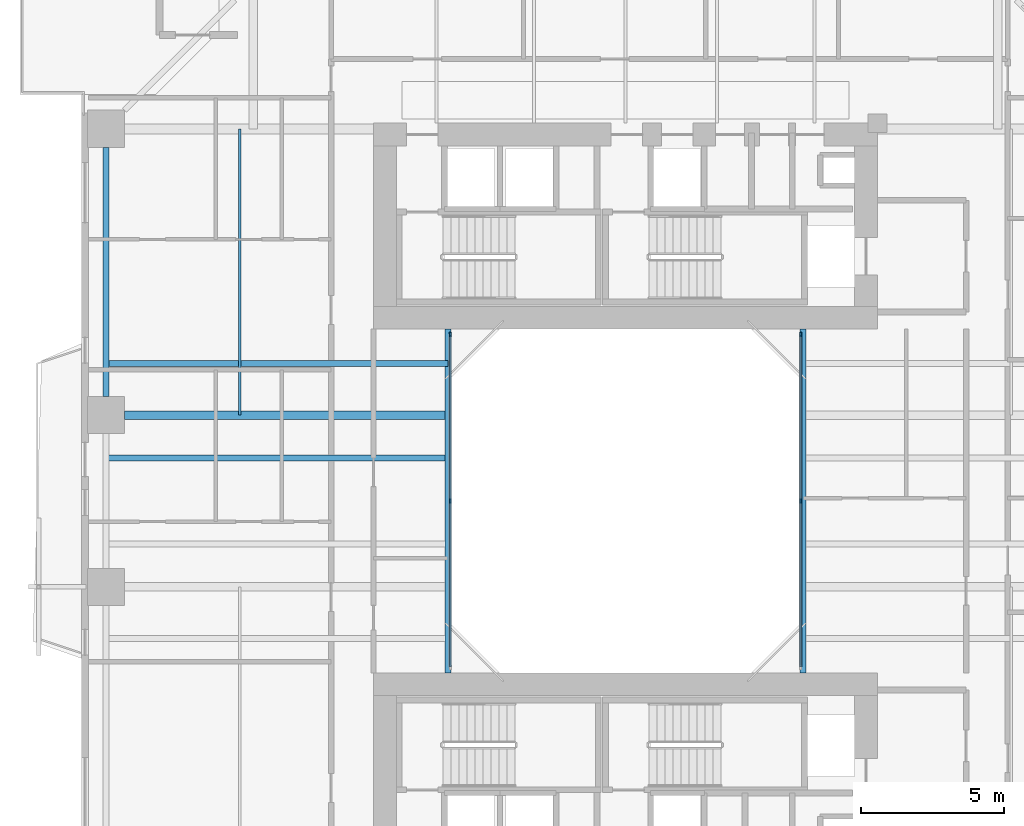
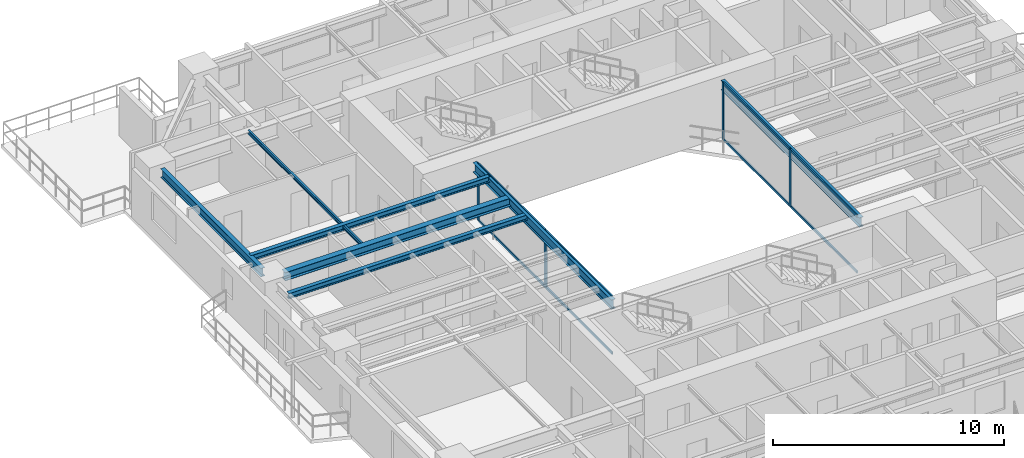
# One storey, part 4 of 24: 12 members, 7 beams, 2 elements without a shape of their own.
"""IFC4 building model written with IfcOpenShell, lengths in metres."""

from ifc_helpers import new_model, si_unit, direction, frame, origin, origin_2d, place, context, subcontext, project, spatial, rectangle, i_section, extrude, source, transform, mapped, material, layer, layer_set, material_profile, profile_set, type_object, element, aggregate, save


model = new_model("IFC4")

# Units and contexts
model_context = context("Model", 3, precision=1e-05, world=origin(), true_north=direction((0.0, 1.0)))
body_context = subcontext(model_context, "Body", "Model", "MODEL_VIEW")
ifc_project = project(units=[si_unit("LENGTHUNIT", "METRE"), si_unit("AREAUNIT", "SQUARE_METRE"), si_unit("VOLUMEUNIT", "CUBIC_METRE"), si_unit("PLANEANGLEUNIT", "RADIAN"), si_unit("MASSUNIT", "GRAM", prefix="KILO"), si_unit("THERMODYNAMICTEMPERATUREUNIT", "KELVIN"), si_unit("POWERUNIT", "WATT")], contexts=[model_context])

# Site, building, storey
site_placement = place(None, origin())
site = spatial("IfcSite", under=ifc_project, at=site_placement, CompositionType="ELEMENT")
building_placement = place(site_placement, origin())
building = spatial("IfcBuilding", under=site, at=building_placement, Name="Qiaomeng Ring Towers", CompositionType="ELEMENT")
storey_placement = place(building_placement, frame((0.0, 0.0, 42.5)))
storey = spatial("IfcBuildingStorey", under=building, at=storey_placement, Name="L11", CompositionType="ELEMENT", Elevation=42.5)

# Beams
ifc_material_1 = material(Name="Steel Q355B", Category="steel")
ifc_material_profile_1 = material_profile(ifc_material_1, i_section(OverallWidth=0.199951171875, OverallDepth=0.5, WebThickness=0.010009765625, FlangeThickness=0.01611328125, FilletRadius=0.02001953125, at=origin_2d()), Name="HN 500x200x10x16")
ifc_profile_set_1 = profile_set([ifc_material_profile_1], Name="Steel Q355B")
beam_type_1 = type_object("IfcBeamType", Name="STR-BM-HN500", PredefinedType="BEAM", material=ifc_profile_set_1)
shared_shape_1 = source(origin(), body_context, "Body", "SweptSolid", [
    extrude(i_section(OverallWidth=0.199951171875, OverallDepth=0.5, WebThickness=0.010009765625, FlangeThickness=0.01611328125, FilletRadius=0.02001953125, at=origin_2d()), origin(), (0.0, 0.0, 1.0), 12.0),
])
for number, where, z_axis, x_axis, name in (
    (1, (12.800048828125, 17.0, 2.780029296875), (0.0, 1.0, 0.0), (-1.0, 0.0, 0.0), "L11 beam STR-BM-L11-WELL-W"),
    (2, (25.199951171875, 17.0, 2.780029296875), (0.0, 1.0, 0.0), (-1.0, 0.0, 0.0), "L11 beam STR-BM-L11-WELL-E"),
):
    element("IfcBeam", number, at=place(storey_placement, frame(where, z_axis=z_axis, x_axis=x_axis)), inside=storey, type_object=beam_type_1, Name=name, PredefinedType="BEAM", context=body_context, shape_type="MappedRepresentation", body=[
        mapped(shared_shape_1, transform((0.0, 0.0, 0.0), x_axis=(1.0, 0.0, 0.0), y_axis=(0.0, 1.0, 0.0), z_axis=(0.0, 0.0, 1.0), scale=1.0)),
    ])
ifc_material_profile_2 = material_profile(ifc_material_1, i_section(OverallWidth=0.199951171875, OverallDepth=0.449951171875, WebThickness=0.009033203125, FlangeThickness=0.013916015625, FilletRadius=0.01806640625, at=origin_2d()), Name="HN 450x200x9x14")
ifc_profile_set_2 = profile_set([ifc_material_profile_2], Name="Steel Q355B")
beam_type_2 = type_object("IfcBeamType", Name="STR-BM-HN450", PredefinedType="SPANDREL", material=ifc_profile_set_2)
shared_shape_2 = source(origin(), body_context, "Body", "SweptSolid", [
    extrude(i_section(OverallWidth=0.199951171875, OverallDepth=0.449951171875, WebThickness=0.009033203125, FlangeThickness=0.013916015625, FilletRadius=0.01806640625, at=origin_2d()), origin(), (0.0, 0.0, 1.0), 8.7021484375),
])
beam_1_placement = place(storey_placement, frame((0.85009765625, 35.35107421875, 2.804931640625), z_axis=(0.0, -1.0, 0.0), x_axis=(1.0, 0.0, 0.0)))
element("IfcBeam", 3, at=beam_1_placement, inside=storey, type_object=beam_type_2, Name="L11 beam STR-SP-L11-T1-W4-W3", PredefinedType="SPANDREL", context=body_context, shape_type="MappedRepresentation", body=[
    mapped(shared_shape_2, transform((0.0, 0.0, 0.0), x_axis=(1.0, 0.0, 0.0), y_axis=(0.0, 1.0, 0.0), z_axis=(0.0, 0.0, 1.0), scale=1.0)),
])
ifc_material_profile_3 = material_profile(ifc_material_1, i_section(OverallWidth=0.300048828125, OverallDepth=0.43994140625, WebThickness=0.010986328125, FlangeThickness=0.01806640625, FilletRadius=0.02392578125, at=origin_2d()), Name="HM 440x300x11x18")
ifc_profile_set_3 = profile_set([ifc_material_profile_3], Name="Steel Q355B")
beam_type_3 = type_object("IfcBeamType", Name="STR-BM-HM440", PredefinedType="BEAM", material=ifc_profile_set_3)
shared_shape_3 = source(origin(), body_context, "Body", "SweptSolid", [
    extrude(i_section(OverallWidth=0.300048828125, OverallDepth=0.43994140625, WebThickness=0.010986328125, FlangeThickness=0.01806640625, FilletRadius=0.02392578125, at=origin_2d()), origin(), (0.0, 0.0, 1.0), 11.301025390625),
])
beam_2_placement = place(storey_placement, frame((1.4990234375, 26.0, 2.81005859375), z_axis=(1.0, 0.0, 0.0), x_axis=(0.0, 1.0, 0.0)))
element("IfcBeam", 4, at=beam_2_placement, inside=storey, type_object=beam_type_3, Name="L11 beam STR-BM-L11-T1-RAD-W3", PredefinedType="BEAM", context=body_context, shape_type="MappedRepresentation", body=[
    mapped(shared_shape_3, transform((0.0, 0.0, 0.0), x_axis=(1.0, 0.0, 0.0), y_axis=(0.0, 1.0, 0.0), z_axis=(0.0, 0.0, 1.0), scale=1.0)),
])
ifc_material_profile_4 = material_profile(ifc_material_1, i_section(OverallWidth=0.199951171875, OverallDepth=0.2939453125, WebThickness=0.008056640625, FlangeThickness=0.011962890625, FilletRadius=0.01806640625, at=origin_2d()), Name="HM 294x200x8x12")
ifc_profile_set_4 = profile_set([ifc_material_profile_4], Name="Steel Q355B")
beam_type_4 = type_object("IfcBeamType", Name="STR-BM-HM294", PredefinedType="JOIST", material=ifc_profile_set_4)
shared_shape_4 = source(origin(), body_context, "Body", "SweptSolid", [
    extrude(i_section(OverallWidth=0.199951171875, OverallDepth=0.2939453125, WebThickness=0.008056640625, FlangeThickness=0.011962890625, FilletRadius=0.01806640625, at=origin_2d()), origin(), (0.0, 0.0, 1.0), 11.949951171875),
])
for number, where, z_axis, x_axis, name in (
    (5, (0.85009765625, 24.5, 2.883056640625), (1.0, 0.0, 0.0), (0.0, 1.0, 0.0), "L11 beam STR-JST-L11-T1W-3"),
    (6, (0.85009765625, 27.800048828125, 2.883056640625), (1.0, 0.0, 0.0), (0.0, 1.0, 0.0), "L11 beam STR-JST-L11-T1W-4"),
):
    element("IfcBeam", number, at=place(storey_placement, frame(where, z_axis=z_axis, x_axis=x_axis)), inside=storey, type_object=beam_type_4, Name=name, PredefinedType="JOIST", context=body_context, shape_type="MappedRepresentation", body=[
        mapped(shared_shape_4, transform((0.0, 0.0, 0.0), x_axis=(1.0, 0.0, 0.0), y_axis=(0.0, 1.0, 0.0), z_axis=(0.0, 0.0, 1.0), scale=1.0)),
    ])
ifc_material_profile_5 = material_profile(ifc_material_1, i_section(OverallWidth=0.10009765625, OverallDepth=0.199951171875, WebThickness=0.005615234375, FlangeThickness=0.008056640625, FilletRadius=0.010986328125, at=origin_2d()), Name="HN 200x100x5.5x8")
ifc_profile_set_5 = profile_set([ifc_material_profile_5], Name="Steel Q355B")
beam_type_5 = type_object("IfcBeamType", Name="STR-BM-HN200", PredefinedType="JOIST", material=ifc_profile_set_5)
shared_shape_5 = source(origin(), body_context, "Body", "SweptSolid", [
    extrude(i_section(OverallWidth=0.10009765625, OverallDepth=0.199951171875, WebThickness=0.005615234375, FlangeThickness=0.008056640625, FilletRadius=0.010986328125, at=origin_2d()), origin(), (0.0, 0.0, 1.0), 10.0),
])
beam_3_placement = place(storey_placement, frame((5.52490234375, 26.0, 2.929931640625), z_axis=(0.0, 1.0, 0.0), x_axis=(-1.0, 0.0, 0.0)))
element("IfcBeam", 7, at=beam_3_placement, inside=storey, type_object=beam_type_5, Name="L11 beam STR-JST-L11-T1C-WN", PredefinedType="JOIST", context=body_context, shape_type="MappedRepresentation", body=[
    mapped(shared_shape_5, transform((0.0, 0.0, 0.0), x_axis=(1.0, 0.0, 0.0), y_axis=(0.0, 1.0, 0.0), z_axis=(0.0, 0.0, 1.0), scale=1.0)),
])

# Curtain wall, members
ifc_material_2 = material(Name="Fluorocarbon dark-grey aluminium", Category="aluminium")
ifc_layer = layer(ifc_material_2, 0.139892578125, Name="Fluorocarbon dark-grey aluminium")
ifc_layer_set = layer_set([ifc_layer], Name="Fluorocarbon dark-grey aluminium")
curtain_wall_type = type_object("IfcCurtainWallType", Name="ARC-CW-4", PredefinedType="NOTDEFINED", material=ifc_layer_set)
curtain_wall_1_placement = place(storey_placement, origin())
curtain_wall_1 = element("IfcCurtainWall", 8, at=curtain_wall_1_placement, inside=storey, type_object=curtain_wall_type, Name="L11 Curtain Wall CW4", PredefinedType="NOTDEFINED")
ifc_material_profile_6 = material_profile(ifc_material_2, rectangle(XDim=0.06494140625, YDim=0.1298828125, at=origin_2d()), Name="ALU TRAN 65x130")
ifc_profile_set_6 = profile_set([ifc_material_profile_6], Name="Fluorocarbon dark-grey aluminium")
member_type_1 = type_object("IfcMemberType", Name="ARC-CWT-120", PredefinedType="USERDEFINED", material=ifc_profile_set_6)
shared_shape_6 = source(origin(), body_context, "Body", "SweptSolid", [
    extrude(rectangle(XDim=0.06494140625, YDim=0.1298828125, at=origin_2d()), origin(), (0.0, 0.0, 1.0), 5.75244140625),
])
member_1_placement = place(storey_placement, frame((12.8798828125, 17.215087890625, 0.032470703125), z_axis=(0.0, 1.0, 0.0), x_axis=(-1.0, 0.0, 0.0)))
member_1 = element("IfcMember", 9, at=member_1_placement, type_object=member_type_1, Name="CW4 transom 1.1", ObjectType="TRANSOM", PredefinedType="USERDEFINED", context=body_context, shape_type="MappedRepresentation", body=[
    mapped(shared_shape_6, transform((0.0, 0.0, 0.0), x_axis=(1.0, 0.0, 0.0), y_axis=(0.0, 1.0, 0.0), z_axis=(0.0, 0.0, 1.0), scale=1.0)),
])
member_2_placement = place(storey_placement, frame((12.8798828125, 17.215087890625, 2.99755859375), z_axis=(0.0, 1.0, 0.0), x_axis=(-1.0, 0.0, 0.0)))
member_2 = element("IfcMember", 10, at=member_2_placement, type_object=member_type_1, Name="CW4 transom 1.2", ObjectType="TRANSOM", PredefinedType="USERDEFINED", context=body_context, shape_type="MappedRepresentation", body=[
    mapped(shared_shape_6, transform((0.0, 0.0, 0.0), x_axis=(1.0, 0.0, 0.0), y_axis=(0.0, 1.0, 0.0), z_axis=(0.0, 0.0, 1.0), scale=1.0)),
])
member_3_placement = place(storey_placement, frame((12.8798828125, 23.032470703125, 0.032470703125), z_axis=(0.0, 1.0, 0.0), x_axis=(-1.0, 0.0, 0.0)))
member_3 = element("IfcMember", 11, at=member_3_placement, type_object=member_type_1, Name="CW4 transom 2.1", ObjectType="TRANSOM", PredefinedType="USERDEFINED", context=body_context, shape_type="MappedRepresentation", body=[
    mapped(shared_shape_6, transform((0.0, 0.0, 0.0), x_axis=(1.0, 0.0, 0.0), y_axis=(0.0, 1.0, 0.0), z_axis=(0.0, 0.0, 1.0), scale=1.0)),
])
member_4_placement = place(storey_placement, frame((12.8798828125, 23.032470703125, 2.99755859375), z_axis=(0.0, 1.0, 0.0), x_axis=(-1.0, 0.0, 0.0)))
member_4 = element("IfcMember", 12, at=member_4_placement, type_object=member_type_1, Name="CW4 transom 2.2", ObjectType="TRANSOM", PredefinedType="USERDEFINED", context=body_context, shape_type="MappedRepresentation", body=[
    mapped(shared_shape_6, transform((0.0, 0.0, 0.0), x_axis=(1.0, 0.0, 0.0), y_axis=(0.0, 1.0, 0.0), z_axis=(0.0, 0.0, 1.0), scale=1.0)),
])

curtain_wall_2_placement = place(storey_placement, origin())
curtain_wall_2 = element("IfcCurtainWall", 13, at=curtain_wall_2_placement, inside=storey, type_object=curtain_wall_type, Name="L11 Curtain Wall CW4", PredefinedType="NOTDEFINED")
member_5_placement = place(storey_placement, frame((25.1201171875, 17.215087890625, 0.032470703125), z_axis=(0.0, 1.0, 0.0), x_axis=(-1.0, 0.0, 0.0)))
member_5 = element("IfcMember", 14, at=member_5_placement, type_object=member_type_1, Name="CW4 transom 1.1", ObjectType="TRANSOM", PredefinedType="USERDEFINED", context=body_context, shape_type="MappedRepresentation", body=[
    mapped(shared_shape_6, transform((0.0, 0.0, 0.0), x_axis=(1.0, 0.0, 0.0), y_axis=(0.0, 1.0, 0.0), z_axis=(0.0, 0.0, 1.0), scale=1.0)),
])
member_6_placement = place(storey_placement, frame((25.1201171875, 17.215087890625, 2.99755859375), z_axis=(0.0, 1.0, 0.0), x_axis=(-1.0, 0.0, 0.0)))
member_6 = element("IfcMember", 15, at=member_6_placement, type_object=member_type_1, Name="CW4 transom 1.2", ObjectType="TRANSOM", PredefinedType="USERDEFINED", context=body_context, shape_type="MappedRepresentation", body=[
    mapped(shared_shape_6, transform((0.0, 0.0, 0.0), x_axis=(1.0, 0.0, 0.0), y_axis=(0.0, 1.0, 0.0), z_axis=(0.0, 0.0, 1.0), scale=1.0)),
])
member_7_placement = place(storey_placement, frame((25.1201171875, 23.032470703125, 0.032470703125), z_axis=(0.0, 1.0, 0.0), x_axis=(-1.0, 0.0, 0.0)))
member_7 = element("IfcMember", 16, at=member_7_placement, type_object=member_type_1, Name="CW4 transom 2.1", ObjectType="TRANSOM", PredefinedType="USERDEFINED", context=body_context, shape_type="MappedRepresentation", body=[
    mapped(shared_shape_6, transform((0.0, 0.0, 0.0), x_axis=(1.0, 0.0, 0.0), y_axis=(0.0, 1.0, 0.0), z_axis=(0.0, 0.0, 1.0), scale=1.0)),
])
member_8_placement = place(storey_placement, frame((25.1201171875, 23.032470703125, 2.99755859375), z_axis=(0.0, 1.0, 0.0), x_axis=(-1.0, 0.0, 0.0)))
member_8 = element("IfcMember", 17, at=member_8_placement, type_object=member_type_1, Name="CW4 transom 2.2", ObjectType="TRANSOM", PredefinedType="USERDEFINED", context=body_context, shape_type="MappedRepresentation", body=[
    mapped(shared_shape_6, transform((0.0, 0.0, 0.0), x_axis=(1.0, 0.0, 0.0), y_axis=(0.0, 1.0, 0.0), z_axis=(0.0, 0.0, 1.0), scale=1.0)),
])

# Member
ifc_material_profile_7 = material_profile(ifc_material_2, rectangle(XDim=0.06494140625, YDim=0.159912109375, at=origin_2d()), Name="ALU MULL 65x160")
ifc_profile_set_7 = profile_set([ifc_material_profile_7], Name="Fluorocarbon dark-grey aluminium")
member_type_2 = type_object("IfcMemberType", Name="ARC-CWM-140", PredefinedType="MULLION", material=ifc_profile_set_7)
shared_shape_7 = source(origin(), body_context, "Body", "SweptSolid", [
    extrude(rectangle(XDim=0.06494140625, YDim=0.159912109375, at=origin_2d()), origin(), (0.0, 0.0, 1.0), 3.030029296875),
])
member_9_placement = place(storey_placement, frame((12.8798828125, 23.0, 0.0), z_axis=(0.0, 0.0, 1.0), x_axis=(-1.0, 0.0, 0.0)))
member_9 = element("IfcMember", 18, at=member_9_placement, type_object=member_type_2, Name="CW4 mullion 2", PredefinedType="MULLION", context=body_context, shape_type="MappedRepresentation", body=[
    mapped(shared_shape_7, transform((0.0, 0.0, 0.0), x_axis=(1.0, 0.0, 0.0), y_axis=(0.0, 1.0, 0.0), z_axis=(0.0, 0.0, 1.0), scale=1.0)),
])

member_10_placement = place(storey_placement, frame((12.8798828125, 28.8173828125, 0.0), z_axis=(0.0, 0.0, 1.0), x_axis=(-1.0, 0.0, 0.0)))
member_10 = element("IfcMember", 19, at=member_10_placement, type_object=member_type_2, Name="CW4 mullion 3", PredefinedType="MULLION", context=body_context, shape_type="MappedRepresentation", body=[
    mapped(shared_shape_7, transform((0.0, 0.0, 0.0), x_axis=(1.0, 0.0, 0.0), y_axis=(0.0, 1.0, 0.0), z_axis=(0.0, 0.0, 1.0), scale=1.0)),
])

aggregate(curtain_wall_1, [member_9, member_10, member_1, member_2, member_3, member_4])

member_11_placement = place(storey_placement, frame((25.1201171875, 23.0, 0.0), z_axis=(0.0, 0.0, 1.0), x_axis=(-1.0, 0.0, 0.0)))
member_11 = element("IfcMember", 20, at=member_11_placement, type_object=member_type_2, Name="CW4 mullion 2", PredefinedType="MULLION", context=body_context, shape_type="MappedRepresentation", body=[
    mapped(shared_shape_7, transform((0.0, 0.0, 0.0), x_axis=(1.0, 0.0, 0.0), y_axis=(0.0, 1.0, 0.0), z_axis=(0.0, 0.0, 1.0), scale=1.0)),
])

member_12_placement = place(storey_placement, frame((25.1201171875, 28.8173828125, 0.0), z_axis=(0.0, 0.0, 1.0), x_axis=(-1.0, 0.0, 0.0)))
member_12 = element("IfcMember", 21, at=member_12_placement, type_object=member_type_2, Name="CW4 mullion 3", PredefinedType="MULLION", context=body_context, shape_type="MappedRepresentation", body=[
    mapped(shared_shape_7, transform((0.0, 0.0, 0.0), x_axis=(1.0, 0.0, 0.0), y_axis=(0.0, 1.0, 0.0), z_axis=(0.0, 0.0, 1.0), scale=1.0)),
])

aggregate(curtain_wall_2, [member_11, member_12, member_5, member_6, member_7, member_8])

save(model, "model.ifc")
